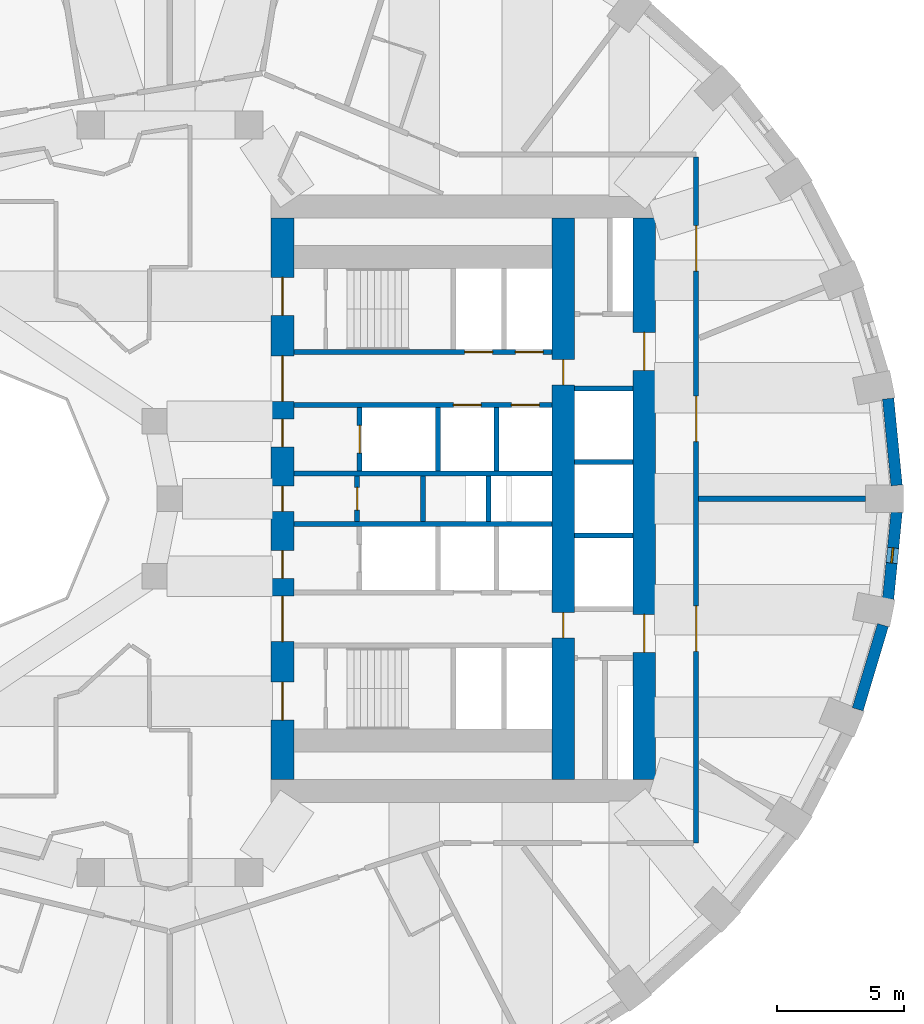
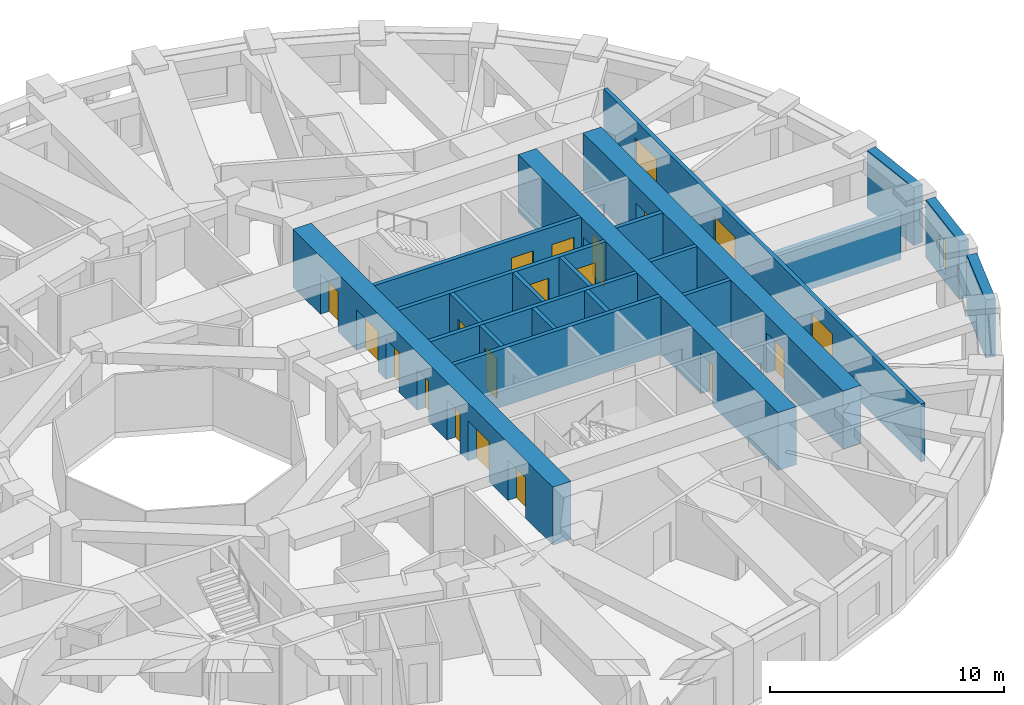
# One storey, part 6 of 13: 21 walls, 20 doors, 1 window, 21 openings.
"""IFC4 building model written with IfcOpenShell, lengths in metres."""

from ifc_helpers import new_model, si_unit, direction, frame, frame_2d, origin, place, context, subcontext, project, spatial, rectangle, extrude, material, layer, layer_set, type_object, element, fill, save


model = new_model("IFC4")

# Units and contexts
model_context = context("Model", 3, precision=1e-05, world=origin(), true_north=direction((0.0, 1.0)))
body_context = subcontext(model_context, "Body", "Model", "MODEL_VIEW")
ifc_project = project(units=[si_unit("LENGTHUNIT", "METRE"), si_unit("AREAUNIT", "SQUARE_METRE"), si_unit("VOLUMEUNIT", "CUBIC_METRE"), si_unit("PLANEANGLEUNIT", "RADIAN"), si_unit("MASSUNIT", "GRAM", prefix="KILO")], contexts=[model_context])

# Site, building, storey
site_placement = place(None, origin())
site = spatial("IfcSite", under=ifc_project, at=site_placement, CompositionType="ELEMENT")
building_placement = place(site_placement, origin())
building = spatial("IfcBuilding", under=site, at=building_placement, Name="Taillehof Tower", CompositionType="ELEMENT")
storey_placement = place(building_placement, frame((0.0, 0.0, 58.0)))
storey = spatial("IfcBuildingStorey", under=building, at=storey_placement, Name="L15", CompositionType="ELEMENT", Elevation=58.0)

# Walls
ifc_material_1 = material(Name="Brick masonry", Category="masonry")
ifc_layer_1 = layer(ifc_material_1, 0.449951171875)
ifc_layer_set_1 = layer_set([ifc_layer_1], Name="Brick infill wall 450")
wall_type_1 = type_object("IfcWallType", Name="Brick infill wall 450", PredefinedType="SOLIDWALL", material=ifc_layer_set_1)
wall_1_placement = place(storey_placement, frame((28.721923828125, 0.530029296875, 0.0), z_axis=(0.0, 0.0, 1.0), x_axis=(-0.097389581596, 0.995246336038, 0.0)))
element("IfcWall", 1, at=wall_1_placement, inside=storey, type_object=wall_type_1, Name="Brick wall L15 bay 1", PredefinedType="SOLIDWALL", context=body_context, shape_type="SweptSolid", body=[
    extrude(rectangle(XDim=3.44189453125, YDim=0.449951171875, at=frame_2d((1.720947265625, 0.0))), origin(), (0.0, 0.0, 1.0), 3.02001953125),
])
wall_2_placement = place(storey_placement, frame((27.184814453125, -8.322998046875, 0.0), z_axis=(0.0, 0.0, 1.0), x_axis=(0.287064133733, 0.957911364963, 0.0)))
element("IfcWall", 2, at=wall_2_placement, inside=storey, type_object=wall_type_1, Name="Brick wall L15 bay 35", PredefinedType="SOLIDWALL", context=body_context, shape_type="SweptSolid", body=[
    extrude(rectangle(XDim=3.473388671875, YDim=0.449951171875, at=frame_2d((1.73681640625, 0.0))), origin(), (0.0, 0.0, 1.0), 3.02001953125),
])

# Wall, opening, window
wall_3_placement = place(storey_placement, frame((28.38671875, -3.95556640625, 0.0), z_axis=(0.0, 0.0, 1.0), x_axis=(0.097389581596, 0.995246336038, 0.0)))
wall_3 = element("IfcWall", 3, at=wall_3_placement, inside=storey, type_object=wall_type_1, Name="Brick wall L15 bay 36", PredefinedType="SOLIDWALL", context=body_context, shape_type="SweptSolid", body=[
    extrude(rectangle(XDim=3.44189453125, YDim=0.449951171875, at=frame_2d((1.720947265625, 0.0))), origin(), (0.0, 0.0, 1.0), 3.02001953125),
])
opening_1_placement = place(wall_3_placement, frame((1.4208984375, 0.0, 0.39990234375)))
opening_1 = element("IfcOpeningElement", 4, at=opening_1_placement, cuts=wall_3, Name="Opening W6", PredefinedType="OPENING", context=body_context, shape_type="SweptSolid", body=[
    extrude(rectangle(XDim=0.60009765625, YDim=1.75, at=frame_2d((0.300048828125, 0.875))), frame((0.0, 0.23486328125, 0.0), z_axis=(0.0, -1.0, 0.0), x_axis=(1.0, 0.0, 0.0)), (0.0, 0.0, 1.0), 0.469970703125),
])
ifc_material_2 = material(Name="Aluminium window frame with clear double glazing", Category="aluminium")
window_type = type_object("IfcWindowType", Name="Slot window 600x1750", PartitioningType="SINGLE_PANEL", PredefinedType="WINDOW", material=ifc_material_2)
window_placement = place(opening_1_placement, origin())
window = element("IfcWindow", 5, at=window_placement, inside=storey, type_object=window_type, Name="W6", OverallHeight=1.75, OverallWidth=0.60009765625, PartitioningType="SINGLE_PANEL", PredefinedType="WINDOW", context=body_context, shape_type="SweptSolid", body=[
    extrude(rectangle(XDim=0.60009765625, YDim=1.75, at=frame_2d((0.300048828125, 0.875))), frame((0.0, 0.034912109375, 0.0), z_axis=(0.0, -1.0, 0.0), x_axis=(1.0, 0.0, 0.0)), (0.0, 0.0, 1.0), 0.06005859375),
])
fill(opening_1, window)

# Wall, opening, door
ifc_material_3 = material(Name="Calcium silicate masonry", Category="masonry")
ifc_layer_2 = layer(ifc_material_3, 0.199951171875)
ifc_layer_set_2 = layer_set([ifc_layer_2], Name="Compartment wall calcium silicate 200")
wall_type_2 = type_object("IfcWallType", Name="Compartment wall calcium silicate 200", PredefinedType="PARTITIONING", material=ifc_layer_set_2)
wall_4_placement = place(storey_placement, frame((7.39990234375, -0.89990234375, 0.0), z_axis=(0.0, 0.0, 1.0), x_axis=(0.0, 1.0, 0.0)))
wall_4 = element("IfcWall", 6, at=wall_4_placement, inside=storey, type_object=wall_type_2, Name="Compartment wall FW", PredefinedType="PARTITIONING", context=body_context, shape_type="SweptSolid", body=[
    extrude(rectangle(XDim=1.7998046875, YDim=0.199951171875, at=frame_2d((0.89990234375, 0.0))), origin(), (0.0, 0.0, 1.0), 3.02001953125),
])
opening_2_placement = place(wall_4_placement, frame((0.449951171875, 0.0, 0.0)))
opening_2 = element("IfcOpeningElement", 7, at=opening_2_placement, cuts=wall_4, Name="Opening D1514", PredefinedType="OPENING", context=body_context, shape_type="SweptSolid", body=[
    extrude(rectangle(XDim=0.89990234375, YDim=2.10009765625, at=frame_2d((0.449951171875, 1.050048828125))), frame((0.0, 0.10986328125, 0.0), z_axis=(0.0, -1.0, 0.0), x_axis=(1.0, 0.0, 0.0)), (0.0, 0.0, 1.0), 0.219970703125),
])
ifc_material_4 = material(Name="Steel-faced fire door", Category="steel")
door_type_1 = type_object("IfcDoorType", Name="Riser and service room door 900x2100", OperationType="SINGLE_SWING_LEFT", PredefinedType="DOOR", material=ifc_material_4)
door_1_placement = place(opening_2_placement, origin())
door_1 = element("IfcDoor", 8, at=door_1_placement, inside=storey, type_object=door_type_1, Name="Door Fire Safety Store", OperationType="SINGLE_SWING_RIGHT", OverallHeight=2.10009765625, OverallWidth=0.89990234375, PredefinedType="DOOR", context=body_context, shape_type="SweptSolid", body=[
    extrude(rectangle(XDim=0.89990234375, YDim=2.10009765625, at=frame_2d((0.449951171875, 1.050048828125))), frame((0.0, 0.02490234375, 0.0), z_axis=(0.0, -1.0, 0.0), x_axis=(1.0, 0.0, 0.0)), (0.0, 0.0, 1.0), 0.050048828125),
])
fill(opening_2, door_1)

# Walls
for number, where, z_axis, x_axis, name in (
    (9, (10.0, -0.89990234375, 0.0), (0.0, 0.0, 1.0), (0.0, 1.0, 0.0), "Compartment wall FW"),
    (10, (12.60009765625, -0.89990234375, 0.0), (0.0, 0.0, 1.0), (0.0, 1.0, 0.0), "Compartment wall FW"),
):
    element("IfcWall", number, at=place(storey_placement, frame(where, z_axis=z_axis, x_axis=x_axis)), inside=storey, type_object=wall_type_2, Name=name, PredefinedType="PARTITIONING", context=body_context, shape_type="SweptSolid", body=[
        extrude(rectangle(XDim=1.7998046875, YDim=0.199951171875, at=frame_2d((0.89990234375, 0.0))), origin(), (0.0, 0.0, 1.0), 3.02001953125),
    ])

# Wall, openings, doors
ifc_material_5 = material(Name="Gypsum board on steel studs, two layers each side", Category="steel")
ifc_layer_3 = layer(ifc_material_5, 0.199951171875)
ifc_layer_set_3 = layer_set([ifc_layer_3], Name="Compartment wall corridor 200")
wall_type_3 = type_object("IfcWallType", Name="Compartment wall corridor 200", PredefinedType="PARTITIONING", material=ifc_layer_set_3)
wall_5_placement = place(storey_placement, frame((20.800048828125, 13.5, 0.0), z_axis=(0.0, 0.0, 1.0), x_axis=(0.0, -1.0, 0.0)))
wall_5 = element("IfcWall", 11, at=wall_5_placement, inside=storey, type_object=wall_type_3, Name="Compartment wall", PredefinedType="PARTITIONING", context=body_context, shape_type="SweptSolid", body=[
    extrude(rectangle(XDim=27.10009765625, YDim=0.199951171875, at=frame_2d((13.550048828125, 0.0))), origin(), (0.0, 0.0, 1.0), 3.02001953125),
])
opening_3_placement = place(wall_5_placement, frame((17.733154296875, 0.0, 0.0)))
opening_3 = element("IfcOpeningElement", 12, at=opening_3_placement, cuts=wall_5, Name="Opening D1565", PredefinedType="OPENING", context=body_context, shape_type="SweptSolid", body=[
    extrude(rectangle(XDim=1.800048828125, YDim=2.10009765625, at=frame_2d((0.89990234375, 1.050048828125))), frame((0.0, 0.10986328125, 0.0), z_axis=(0.0, -1.0, 0.0), x_axis=(1.0, 0.0, 0.0)), (0.0, 0.0, 1.0), 0.219970703125),
])
opening_4_placement = place(wall_5_placement, frame((9.447998046875, 0.0, 0.0)))
opening_4 = element("IfcOpeningElement", 13, at=opening_4_placement, cuts=wall_5, Name="Opening D1566", PredefinedType="OPENING", context=body_context, shape_type="SweptSolid", body=[
    extrude(rectangle(XDim=1.800048828125, YDim=2.10009765625, at=frame_2d((0.89990234375, 1.050048828125))), frame((0.0, 0.10986328125, 0.0), z_axis=(0.0, -1.0, 0.0), x_axis=(1.0, 0.0, 0.0)), (0.0, 0.0, 1.0), 0.219970703125),
])
opening_5_placement = place(wall_5_placement, frame((2.703857421875, 0.0, 0.0)))
opening_5 = element("IfcOpeningElement", 14, at=opening_5_placement, cuts=wall_5, Name="Opening D1567", PredefinedType="OPENING", context=body_context, shape_type="SweptSolid", body=[
    extrude(rectangle(XDim=1.800048828125, YDim=2.10009765625, at=frame_2d((0.89990234375, 1.050048828125))), frame((0.0, 0.10986328125, 0.0), z_axis=(0.0, -1.0, 0.0), x_axis=(1.0, 0.0, 0.0)), (0.0, 0.0, 1.0), 0.219970703125),
])
ifc_material_6 = material(Name="Timber door leaf in steel frame", Category="steel")
door_type_2 = type_object("IfcDoorType", Name="Lounge and meeting room double door EI 30 1800 x 2100", OperationType="SINGLE_SWING_LEFT", PredefinedType="DOOR", material=ifc_material_6)
door_2_placement = place(opening_3_placement, origin())
door_2 = element("IfcDoor", 15, at=door_2_placement, inside=storey, type_object=door_type_2, Name="D1565", OperationType="DOUBLE_DOOR_SINGLE_SWING", OverallHeight=2.10009765625, OverallWidth=1.800048828125, PredefinedType="DOOR", context=body_context, shape_type="SweptSolid", body=[
    extrude(rectangle(XDim=1.800048828125, YDim=2.10009765625, at=frame_2d((0.89990234375, 1.050048828125))), frame((0.0, 0.02490234375, 0.0), z_axis=(0.0, -1.0, 0.0), x_axis=(1.0, 0.0, 0.0)), (0.0, 0.0, 1.0), 0.050048828125),
])
fill(opening_3, door_2)
door_3_placement = place(opening_4_placement, origin())
door_3 = element("IfcDoor", 16, at=door_3_placement, inside=storey, type_object=door_type_2, Name="D1566", OperationType="DOUBLE_DOOR_SINGLE_SWING", OverallHeight=2.10009765625, OverallWidth=1.800048828125, PredefinedType="DOOR", context=body_context, shape_type="SweptSolid", body=[
    extrude(rectangle(XDim=1.800048828125, YDim=2.10009765625, at=frame_2d((0.89990234375, 1.050048828125))), frame((0.0, 0.02490234375, 0.0), z_axis=(0.0, -1.0, 0.0), x_axis=(1.0, 0.0, 0.0)), (0.0, 0.0, 1.0), 0.050048828125),
])
fill(opening_4, door_3)
door_4_placement = place(opening_5_placement, origin())
door_4 = element("IfcDoor", 17, at=door_4_placement, inside=storey, type_object=door_type_2, Name="D1567", OperationType="DOUBLE_DOOR_SINGLE_SWING", OverallHeight=2.10009765625, OverallWidth=1.800048828125, PredefinedType="DOOR", context=body_context, shape_type="SweptSolid", body=[
    extrude(rectangle(XDim=1.800048828125, YDim=2.10009765625, at=frame_2d((0.89990234375, 1.050048828125))), frame((0.0, 0.02490234375, 0.0), z_axis=(0.0, -1.0, 0.0), x_axis=(1.0, 0.0, 0.0)), (0.0, 0.0, 1.0), 0.050048828125),
])
fill(opening_5, door_4)

# Wall
ifc_material_7 = material(Name="Gypsum board on double steel studs with mineral wool", Category="steel")
ifc_layer_4 = layer(ifc_material_7, 0.219970703125)
ifc_layer_set_4 = layer_set([ifc_layer_4], Name="Compartment wall guest room 220")
wall_type_4 = type_object("IfcWallType", Name="Compartment wall guest room 220", PredefinedType="PARTITIONING", material=ifc_layer_set_4)
wall_6_placement = place(storey_placement, frame((27.5, 0.0, 0.0), z_axis=(0.0, 0.0, 1.0), x_axis=(-1.0, 0.0, 0.0)))
element("IfcWall", 18, at=wall_6_placement, inside=storey, type_object=wall_type_4, Name="Compartment wall", PredefinedType="PARTITIONING", context=body_context, shape_type="SweptSolid", body=[
    extrude(rectangle(XDim=6.599853515625, YDim=0.219970703125, at=frame_2d((3.2998046875, 0.0))), origin(), (0.0, 0.0, 1.0), 2.469970703125),
])

# Wall, openings, doors
ifc_material_8 = material(Name="Concrete C80/95", Category="concrete")
ifc_layer_5 = layer(ifc_material_8, 0.89990234375)
ifc_layer_set_5 = layer_set([ifc_layer_5], Name="Core wall C80/95 900")
wall_type_5 = type_object("IfcWallType", Name="Core wall C80/95 900", PredefinedType="SHEAR", material=ifc_layer_set_5)
wall_7_placement = place(storey_placement, frame((4.449951171875, -11.10009765625, 0.0), z_axis=(0.0, 0.0, 1.0), x_axis=(0.0, 1.0, 0.0)))
wall_7 = element("IfcWall", 19, at=wall_7_placement, inside=storey, type_object=wall_type_5, Name="Core wall CW01", PredefinedType="SHEAR", context=body_context, shape_type="SweptSolid", body=[
    extrude(rectangle(XDim=22.2001953125, YDim=0.89990234375, at=frame_2d((11.10009765625, 0.0))), origin(), (0.0, 0.0, 1.0), 3.02001953125),
])
opening_6_placement = place(wall_7_placement, frame((2.35009765625, 0.0, 0.0)))
opening_6 = element("IfcOpeningElement", 20, at=opening_6_placement, cuts=wall_7, Name="Opening D1501", PredefinedType="OPENING", context=body_context, shape_type="SweptSolid", body=[
    extrude(rectangle(XDim=1.5, YDim=2.10009765625, at=frame_2d((0.75, 1.050048828125))), frame((0.0, 0.4599609375, 0.0), z_axis=(0.0, -1.0, 0.0), x_axis=(1.0, 0.0, 0.0)), (0.0, 0.0, 1.0), 0.919921875),
])
opening_7_placement = place(wall_7_placement, frame((5.449951171875, 0.0, 0.0)))
opening_7 = element("IfcOpeningElement", 21, at=opening_7_placement, cuts=wall_7, Name="Opening D1502", PredefinedType="OPENING", context=body_context, shape_type="SweptSolid", body=[
    extrude(rectangle(XDim=1.800048828125, YDim=2.10009765625, at=frame_2d((0.89990234375, 1.050048828125))), frame((0.0, 0.4599609375, 0.0), z_axis=(0.0, -1.0, 0.0), x_axis=(1.0, 0.0, 0.0)), (0.0, 0.0, 1.0), 0.919921875),
])
opening_8_placement = place(wall_7_placement, frame((7.949951171875, 0.0, 0.0)))
opening_8 = element("IfcOpeningElement", 22, at=opening_8_placement, cuts=wall_7, Name="Opening D1503", PredefinedType="OPENING", context=body_context, shape_type="SweptSolid", body=[
    extrude(rectangle(XDim=1.10009765625, YDim=2.10009765625, at=frame_2d((0.550048828125, 1.050048828125))), frame((0.0, 0.4599609375, 0.0), z_axis=(0.0, -1.0, 0.0), x_axis=(1.0, 0.0, 0.0)), (0.0, 0.0, 1.0), 0.919921875),
])
opening_9_placement = place(wall_7_placement, frame((10.60009765625, 0.0, 0.0)))
opening_9 = element("IfcOpeningElement", 23, at=opening_9_placement, cuts=wall_7, Name="Opening D1504", PredefinedType="OPENING", context=body_context, shape_type="SweptSolid", body=[
    extrude(rectangle(XDim=1.0, YDim=2.10009765625, at=frame_2d((0.5, 1.050048828125))), frame((0.0, 0.4599609375, 0.0), z_axis=(0.0, -1.0, 0.0), x_axis=(1.0, 0.0, 0.0)), (0.0, 0.0, 1.0), 0.919921875),
])
opening_10_placement = place(wall_7_placement, frame((13.14990234375, 0.0, 0.0)))
opening_10 = element("IfcOpeningElement", 24, at=opening_10_placement, cuts=wall_7, Name="Opening D1505", PredefinedType="OPENING", context=body_context, shape_type="SweptSolid", body=[
    extrude(rectangle(XDim=1.10009765625, YDim=2.10009765625, at=frame_2d((0.550048828125, 1.050048828125))), frame((0.0, 0.4599609375, 0.0), z_axis=(0.0, -1.0, 0.0), x_axis=(1.0, 0.0, 0.0)), (0.0, 0.0, 1.0), 0.919921875),
])
opening_11_placement = place(wall_7_placement, frame((14.949951171875, 0.0, 0.0)))
opening_11 = element("IfcOpeningElement", 25, at=opening_11_placement, cuts=wall_7, Name="Opening D1506", PredefinedType="OPENING", context=body_context, shape_type="SweptSolid", body=[
    extrude(rectangle(XDim=1.800048828125, YDim=2.10009765625, at=frame_2d((0.89990234375, 1.050048828125))), frame((0.0, 0.4599609375, 0.0), z_axis=(0.0, -1.0, 0.0), x_axis=(1.0, 0.0, 0.0)), (0.0, 0.0, 1.0), 0.919921875),
])
opening_12_placement = place(wall_7_placement, frame((18.35009765625, 0.0, 0.0)))
opening_12 = element("IfcOpeningElement", 26, at=opening_12_placement, cuts=wall_7, Name="Opening D1507", PredefinedType="OPENING", context=body_context, shape_type="SweptSolid", body=[
    extrude(rectangle(XDim=1.5, YDim=2.10009765625, at=frame_2d((0.75, 1.050048828125))), frame((0.0, 0.4599609375, 0.0), z_axis=(0.0, -1.0, 0.0), x_axis=(1.0, 0.0, 0.0)), (0.0, 0.0, 1.0), 0.919921875),
])
ifc_material_9 = material(Name="Steel-faced fire door", Category="steel")
door_type_3 = type_object("IfcDoorType", Name="Firefighting lobby door 1100x2100", OperationType="SINGLE_SWING_RIGHT", PredefinedType="DOOR", material=ifc_material_9)
door_5_placement = place(opening_8_placement, origin())
door_5 = element("IfcDoor", 27, at=door_5_placement, inside=storey, type_object=door_type_3, Name="Firefighting lobby door FFL-S", OperationType="SINGLE_SWING_RIGHT", OverallHeight=2.10009765625, OverallWidth=1.10009765625, PredefinedType="DOOR", context=body_context, shape_type="SweptSolid", body=[
    extrude(rectangle(XDim=1.10009765625, YDim=2.10009765625, at=frame_2d((0.550048828125, 1.050048828125))), frame((0.0, 0.02490234375, 0.0), z_axis=(0.0, -1.0, 0.0), x_axis=(1.0, 0.0, 0.0)), (0.0, 0.0, 1.0), 0.050048828125),
])
fill(opening_8, door_5)
door_6_placement = place(opening_10_placement, origin())
door_6 = element("IfcDoor", 28, at=door_6_placement, inside=storey, type_object=door_type_3, Name="Firefighting lobby door FFL-N", OperationType="SINGLE_SWING_LEFT", OverallHeight=2.10009765625, OverallWidth=1.10009765625, PredefinedType="DOOR", context=body_context, shape_type="SweptSolid", body=[
    extrude(rectangle(XDim=1.10009765625, YDim=2.10009765625, at=frame_2d((0.550048828125, 1.050048828125))), frame((0.0, 0.02490234375, 0.0), z_axis=(0.0, -1.0, 0.0), x_axis=(1.0, 0.0, 0.0)), (0.0, 0.0, 1.0), 0.050048828125),
])
fill(opening_10, door_6)
ifc_material_10 = material(Name="Steel-faced fire door", Category="steel")
door_type_4 = type_object("IfcDoorType", Name="Lift lobby door 1800x2100", OperationType="DOUBLE_DOOR_SINGLE_SWING", PredefinedType="DOOR", material=ifc_material_10)
door_7_placement = place(opening_7_placement, origin())
door_7 = element("IfcDoor", 29, at=door_7_placement, inside=storey, type_object=door_type_4, Name="Lift lobby door LL-S", OperationType="DOUBLE_DOOR_SINGLE_SWING", OverallHeight=2.10009765625, OverallWidth=1.800048828125, PredefinedType="DOOR", context=body_context, shape_type="SweptSolid", body=[
    extrude(rectangle(XDim=1.800048828125, YDim=2.10009765625, at=frame_2d((0.89990234375, 1.050048828125))), frame((0.0, 0.02490234375, 0.0), z_axis=(0.0, -1.0, 0.0), x_axis=(1.0, 0.0, 0.0)), (0.0, 0.0, 1.0), 0.050048828125),
])
fill(opening_7, door_7)
door_8_placement = place(opening_11_placement, origin())
door_8 = element("IfcDoor", 30, at=door_8_placement, inside=storey, type_object=door_type_4, Name="Lift lobby door LL-N", OperationType="DOUBLE_DOOR_SINGLE_SWING", OverallHeight=2.10009765625, OverallWidth=1.800048828125, PredefinedType="DOOR", context=body_context, shape_type="SweptSolid", body=[
    extrude(rectangle(XDim=1.800048828125, YDim=2.10009765625, at=frame_2d((0.89990234375, 1.050048828125))), frame((0.0, 0.02490234375, 0.0), z_axis=(0.0, -1.0, 0.0), x_axis=(1.0, 0.0, 0.0)), (0.0, 0.0, 1.0), 0.050048828125),
])
fill(opening_11, door_8)
ifc_material_11 = material(Name="Steel-faced fire door", Category="steel")
door_type_5 = type_object("IfcDoorType", Name="Service door 1000x2100", OperationType="SINGLE_SWING_RIGHT", PredefinedType="DOOR", material=ifc_material_11)
door_9_placement = place(opening_9_placement, origin())
door_9 = element("IfcDoor", 31, at=door_9_placement, inside=storey, type_object=door_type_5, Name="Service door SV", OperationType="SINGLE_SWING_RIGHT", OverallHeight=2.10009765625, OverallWidth=1.0, PredefinedType="DOOR", context=body_context, shape_type="SweptSolid", body=[
    extrude(rectangle(XDim=1.0, YDim=2.10009765625, at=frame_2d((0.5, 1.050048828125))), frame((0.0, 0.02490234375, 0.0), z_axis=(0.0, -1.0, 0.0), x_axis=(1.0, 0.0, 0.0)), (0.0, 0.0, 1.0), 0.050048828125),
])
fill(opening_9, door_9)
ifc_material_12 = material(Name="Steel-faced fire door", Category="steel")
door_type_6 = type_object("IfcDoorType", Name="Stair door 1500x2100", OperationType="DOUBLE_DOOR_SINGLE_SWING", PredefinedType="DOOR", material=ifc_material_12)
door_10_placement = place(opening_6_placement, origin())
door_10 = element("IfcDoor", 32, at=door_10_placement, inside=storey, type_object=door_type_6, Name="Stair door S2", OperationType="DOUBLE_DOOR_SINGLE_SWING", OverallHeight=2.10009765625, OverallWidth=1.5, PredefinedType="DOOR", context=body_context, shape_type="SweptSolid", body=[
    extrude(rectangle(XDim=1.5, YDim=2.10009765625, at=frame_2d((0.75, 1.050048828125))), frame((0.0, 0.02490234375, 0.0), z_axis=(0.0, -1.0, 0.0), x_axis=(1.0, 0.0, 0.0)), (0.0, 0.0, 1.0), 0.050048828125),
])
fill(opening_6, door_10)
door_11_placement = place(opening_12_placement, origin())
door_11 = element("IfcDoor", 33, at=door_11_placement, inside=storey, type_object=door_type_6, Name="Stair door S1", OperationType="DOUBLE_DOOR_SINGLE_SWING", OverallHeight=2.10009765625, OverallWidth=1.5, PredefinedType="DOOR", context=body_context, shape_type="SweptSolid", body=[
    extrude(rectangle(XDim=1.5, YDim=2.10009765625, at=frame_2d((0.75, 1.050048828125))), frame((0.0, 0.02490234375, 0.0), z_axis=(0.0, -1.0, 0.0), x_axis=(1.0, 0.0, 0.0)), (0.0, 0.0, 1.0), 0.050048828125),
])
fill(opening_12, door_11)

wall_8_placement = place(storey_placement, frame((18.75, -11.10009765625, 0.0), z_axis=(0.0, 0.0, 1.0), x_axis=(0.0, 1.0, 0.0)))
wall_8 = element("IfcWall", 34, at=wall_8_placement, inside=storey, type_object=wall_type_5, Name="Core wall CW02", PredefinedType="SHEAR", context=body_context, shape_type="SweptSolid", body=[
    extrude(rectangle(XDim=22.2001953125, YDim=0.89990234375, at=frame_2d((11.10009765625, 0.0))), origin(), (0.0, 0.0, 1.0), 3.02001953125),
])
opening_13_placement = place(wall_8_placement, frame((16.175048828125, 0.0, 0.0)))
opening_13 = element("IfcOpeningElement", 35, at=opening_13_placement, cuts=wall_8, Name="Opening D1508", PredefinedType="OPENING", context=body_context, shape_type="SweptSolid", body=[
    extrude(rectangle(XDim=1.5, YDim=2.10009765625, at=frame_2d((0.75, 1.050048828125))), frame((0.0, 0.4599609375, 0.0), z_axis=(0.0, -1.0, 0.0), x_axis=(1.0, 0.0, 0.0)), (0.0, 0.0, 1.0), 0.919921875),
])
opening_14_placement = place(wall_8_placement, frame((5.02490234375, 0.0, 0.0)))
opening_14 = element("IfcOpeningElement", 36, at=opening_14_placement, cuts=wall_8, Name="Opening D1509", PredefinedType="OPENING", context=body_context, shape_type="SweptSolid", body=[
    extrude(rectangle(XDim=1.5, YDim=2.10009765625, at=frame_2d((0.75, 1.050048828125))), frame((0.0, 0.4599609375, 0.0), z_axis=(0.0, -1.0, 0.0), x_axis=(1.0, 0.0, 0.0)), (0.0, 0.0, 1.0), 0.919921875),
])
ifc_material_13 = material(Name="Steel-faced fire door", Category="steel")
door_type_7 = type_object("IfcDoorType", Name="Lift lobby east door 1500x2100", OperationType="DOUBLE_DOOR_SINGLE_SWING", PredefinedType="DOOR", material=ifc_material_13)
door_12_placement = place(opening_13_placement, origin())
door_12 = element("IfcDoor", 37, at=door_12_placement, inside=storey, type_object=door_type_7, Name="Lift lobby east door north", OperationType="DOUBLE_DOOR_SINGLE_SWING", OverallHeight=2.10009765625, OverallWidth=1.5, PredefinedType="DOOR", context=body_context, shape_type="SweptSolid", body=[
    extrude(rectangle(XDim=1.5, YDim=2.10009765625, at=frame_2d((0.75, 1.050048828125))), frame((0.0, 0.02490234375, 0.0), z_axis=(0.0, -1.0, 0.0), x_axis=(1.0, 0.0, 0.0)), (0.0, 0.0, 1.0), 0.050048828125),
])
fill(opening_13, door_12)
door_13_placement = place(opening_14_placement, origin())
door_13 = element("IfcDoor", 38, at=door_13_placement, inside=storey, type_object=door_type_7, Name="Lift lobby east door south", OperationType="DOUBLE_DOOR_SINGLE_SWING", OverallHeight=2.10009765625, OverallWidth=1.5, PredefinedType="DOOR", context=body_context, shape_type="SweptSolid", body=[
    extrude(rectangle(XDim=1.5, YDim=2.10009765625, at=frame_2d((0.75, 1.050048828125))), frame((0.0, 0.02490234375, 0.0), z_axis=(0.0, -1.0, 0.0), x_axis=(1.0, 0.0, 0.0)), (0.0, 0.0, 1.0), 0.050048828125),
])
fill(opening_14, door_13)

wall_9_placement = place(storey_placement, frame((15.550048828125, -11.10009765625, 0.0), z_axis=(0.0, 0.0, 1.0), x_axis=(0.0, 1.0, 0.0)))
wall_9 = element("IfcWall", 39, at=wall_9_placement, inside=storey, type_object=wall_type_5, Name="Core wall CW05", PredefinedType="SHEAR", context=body_context, shape_type="SweptSolid", body=[
    extrude(rectangle(XDim=22.2001953125, YDim=0.89990234375, at=frame_2d((11.10009765625, 0.0))), origin(), (0.0, 0.0, 1.0), 3.02001953125),
])
opening_15_placement = place(wall_9_placement, frame((15.60009765625, 0.0, 0.0)))
opening_15 = element("IfcOpeningElement", 40, at=opening_15_placement, cuts=wall_9, Name="Opening D1515", PredefinedType="OPENING", context=body_context, shape_type="SweptSolid", body=[
    extrude(rectangle(XDim=1.0, YDim=2.10009765625, at=frame_2d((0.5, 1.050048828125))), frame((0.0, 0.4599609375, 0.0), z_axis=(0.0, -1.0, 0.0), x_axis=(1.0, 0.0, 0.0)), (0.0, 0.0, 1.0), 0.919921875),
])
opening_16_placement = place(wall_9_placement, frame((5.60009765625, 0.0, 0.0)))
opening_16 = element("IfcOpeningElement", 41, at=opening_16_placement, cuts=wall_9, Name="Opening D1517", PredefinedType="OPENING", context=body_context, shape_type="SweptSolid", body=[
    extrude(rectangle(XDim=1.0, YDim=2.10009765625, at=frame_2d((0.5, 1.050048828125))), frame((0.0, 0.4599609375, 0.0), z_axis=(0.0, -1.0, 0.0), x_axis=(1.0, 0.0, 0.0)), (0.0, 0.0, 1.0), 0.919921875),
])
door_14_placement = place(opening_15_placement, origin())
door_14 = element("IfcDoor", 42, at=door_14_placement, inside=storey, type_object=door_type_5, Name="Service door strip", OperationType="SINGLE_SWING_RIGHT", OverallHeight=2.10009765625, OverallWidth=1.0, PredefinedType="DOOR", context=body_context, shape_type="SweptSolid", body=[
    extrude(rectangle(XDim=1.0, YDim=2.10009765625, at=frame_2d((0.5, 1.050048828125))), frame((0.0, 0.02490234375, 0.0), z_axis=(0.0, -1.0, 0.0), x_axis=(1.0, 0.0, 0.0)), (0.0, 0.0, 1.0), 0.050048828125),
])
fill(opening_15, door_14)
door_15_placement = place(opening_16_placement, origin())
door_15 = element("IfcDoor", 43, at=door_15_placement, inside=storey, type_object=door_type_5, Name="Service door strip", OperationType="SINGLE_SWING_LEFT", OverallHeight=2.10009765625, OverallWidth=1.0, PredefinedType="DOOR", context=body_context, shape_type="SweptSolid", body=[
    extrude(rectangle(XDim=1.0, YDim=2.10009765625, at=frame_2d((0.5, 1.050048828125))), frame((0.0, 0.02490234375, 0.0), z_axis=(0.0, -1.0, 0.0), x_axis=(1.0, 0.0, 0.0)), (0.0, 0.0, 1.0), 0.050048828125),
])
fill(opening_16, door_15)

ifc_material_14 = material(Name="Concrete C50/60", Category="concrete")
ifc_layer_6 = layer(ifc_material_14, 0.199951171875)
ifc_layer_set_6 = layer_set([ifc_layer_6], Name="Shaft wall C50/60 200")
wall_type_6 = type_object("IfcWallType", Name="Shaft wall C50/60 200", PredefinedType="SHEAR", material=ifc_layer_set_6)
wall_10_placement = place(storey_placement, frame((4.89990234375, 5.800048828125, 0.0), z_axis=(0.0, 0.0, 1.0), x_axis=(1.0, 0.0, 0.0)))
wall_10 = element("IfcWall", 44, at=wall_10_placement, inside=storey, type_object=wall_type_6, Name="Shaft wall SW", PredefinedType="SHEAR", context=body_context, shape_type="SweptSolid", body=[
    extrude(rectangle(XDim=10.2001953125, YDim=0.199951171875, at=frame_2d((5.10009765625, 0.0))), origin(), (0.0, 0.0, 1.0), 3.02001953125),
])
opening_17_placement = place(wall_10_placement, frame((6.75, 0.0, 0.0)))
opening_17 = element("IfcOpeningElement", 45, at=opening_17_placement, cuts=wall_10, Name="Opening LD1", PredefinedType="OPENING", context=body_context, shape_type="SweptSolid", body=[
    extrude(rectangle(XDim=1.10009765625, YDim=2.10009765625, at=frame_2d((0.550048828125, 1.050048828125))), frame((0.0, 0.10986328125, 0.0), z_axis=(0.0, -1.0, 0.0), x_axis=(1.0, 0.0, 0.0)), (0.0, 0.0, 1.0), 0.219970703125),
])
opening_18_placement = place(wall_10_placement, frame((8.75, 0.0, 0.0)))
opening_18 = element("IfcOpeningElement", 46, at=opening_18_placement, cuts=wall_10, Name="Opening LD1", PredefinedType="OPENING", context=body_context, shape_type="SweptSolid", body=[
    extrude(rectangle(XDim=1.10009765625, YDim=2.10009765625, at=frame_2d((0.550048828125, 1.050048828125))), frame((0.0, 0.10986328125, 0.0), z_axis=(0.0, -1.0, 0.0), x_axis=(1.0, 0.0, 0.0)), (0.0, 0.0, 1.0), 0.219970703125),
])
ifc_material_15 = material(Name="Stainless steel", Category="steel")
door_type_8 = type_object("IfcDoorType", Name="Lift landing door LD1 1100x2100", OperationType="DOUBLE_DOOR_SLIDING", PredefinedType="DOOR", material=ifc_material_15)
door_16_placement = place(opening_17_placement, origin())
door_16 = element("IfcDoor", 47, at=door_16_placement, inside=storey, type_object=door_type_8, Name="Landing door LR1", OperationType="DOUBLE_DOOR_SLIDING", OverallHeight=2.10009765625, OverallWidth=1.10009765625, PredefinedType="DOOR", context=body_context, shape_type="SweptSolid", body=[
    extrude(rectangle(XDim=1.10009765625, YDim=2.10009765625, at=frame_2d((0.550048828125, 1.050048828125))), frame((0.0, 0.02490234375, 0.0), z_axis=(0.0, -1.0, 0.0), x_axis=(1.0, 0.0, 0.0)), (0.0, 0.0, 1.0), 0.050048828125),
])
fill(opening_17, door_16)
door_17_placement = place(opening_18_placement, origin())
door_17 = element("IfcDoor", 48, at=door_17_placement, inside=storey, type_object=door_type_8, Name="Landing door LR2", OperationType="DOUBLE_DOOR_SLIDING", OverallHeight=2.10009765625, OverallWidth=1.10009765625, PredefinedType="DOOR", context=body_context, shape_type="SweptSolid", body=[
    extrude(rectangle(XDim=1.10009765625, YDim=2.10009765625, at=frame_2d((0.550048828125, 1.050048828125))), frame((0.0, 0.02490234375, 0.0), z_axis=(0.0, -1.0, 0.0), x_axis=(1.0, 0.0, 0.0)), (0.0, 0.0, 1.0), 0.050048828125),
])
fill(opening_18, door_17)

wall_11_placement = place(storey_placement, frame((4.89990234375, 3.699951171875, 0.0), z_axis=(0.0, 0.0, 1.0), x_axis=(1.0, 0.0, 0.0)))
wall_11 = element("IfcWall", 49, at=wall_11_placement, inside=storey, type_object=wall_type_6, Name="Shaft wall SW", PredefinedType="SHEAR", context=body_context, shape_type="SweptSolid", body=[
    extrude(rectangle(XDim=10.2001953125, YDim=0.199951171875, at=frame_2d((5.10009765625, 0.0))), origin(), (0.0, 0.0, 1.0), 3.02001953125),
])
opening_19_placement = place(wall_11_placement, frame((6.300048828125, 0.0, 0.0)))
opening_19 = element("IfcOpeningElement", 50, at=opening_19_placement, cuts=wall_11, Name="Opening LD1", PredefinedType="OPENING", context=body_context, shape_type="SweptSolid", body=[
    extrude(rectangle(XDim=1.10009765625, YDim=2.10009765625, at=frame_2d((0.550048828125, 1.050048828125))), frame((0.0, 0.10986328125, 0.0), z_axis=(0.0, -1.0, 0.0), x_axis=(1.0, 0.0, 0.0)), (0.0, 0.0, 1.0), 0.219970703125),
])
opening_20_placement = place(wall_11_placement, frame((8.60009765625, 0.0, 0.0)))
opening_20 = element("IfcOpeningElement", 51, at=opening_20_placement, cuts=wall_11, Name="Opening LD1", PredefinedType="OPENING", context=body_context, shape_type="SweptSolid", body=[
    extrude(rectangle(XDim=1.10009765625, YDim=2.10009765625, at=frame_2d((0.550048828125, 1.050048828125))), frame((0.0, 0.10986328125, 0.0), z_axis=(0.0, -1.0, 0.0), x_axis=(1.0, 0.0, 0.0)), (0.0, 0.0, 1.0), 0.219970703125),
])
door_18_placement = place(opening_19_placement, origin())
door_18 = element("IfcDoor", 52, at=door_18_placement, inside=storey, type_object=door_type_8, Name="Landing door LR3", OperationType="DOUBLE_DOOR_SLIDING", OverallHeight=2.10009765625, OverallWidth=1.10009765625, PredefinedType="DOOR", context=body_context, shape_type="SweptSolid", body=[
    extrude(rectangle(XDim=1.10009765625, YDim=2.10009765625, at=frame_2d((0.550048828125, 1.050048828125))), frame((0.0, 0.02490234375, 0.0), z_axis=(0.0, -1.0, 0.0), x_axis=(1.0, 0.0, 0.0)), (0.0, 0.0, 1.0), 0.050048828125),
])
fill(opening_19, door_18)
door_19_placement = place(opening_20_placement, origin())
door_19 = element("IfcDoor", 53, at=door_19_placement, inside=storey, type_object=door_type_8, Name="Landing door LR4", OperationType="DOUBLE_DOOR_SLIDING", OverallHeight=2.10009765625, OverallWidth=1.10009765625, PredefinedType="DOOR", context=body_context, shape_type="SweptSolid", body=[
    extrude(rectangle(XDim=1.10009765625, YDim=2.10009765625, at=frame_2d((0.550048828125, 1.050048828125))), frame((0.0, 0.02490234375, 0.0), z_axis=(0.0, -1.0, 0.0), x_axis=(1.0, 0.0, 0.0)), (0.0, 0.0, 1.0), 0.050048828125),
])
fill(opening_20, door_19)

# Walls
for number, where, z_axis, x_axis, name in (
    (54, (4.89990234375, 1.0, 0.0), (0.0, 0.0, 1.0), (1.0, 0.0, 0.0), "Shaft wall SW"),
    (55, (4.89990234375, -1.0, 0.0), (0.0, 0.0, 1.0), (1.0, 0.0, 0.0), "Shaft wall SW"),
):
    element("IfcWall", number, at=place(storey_placement, frame(where, z_axis=z_axis, x_axis=x_axis)), inside=storey, type_object=wall_type_6, Name=name, PredefinedType="SHEAR", context=body_context, shape_type="SweptSolid", body=[
        extrude(rectangle(XDim=10.2001953125, YDim=0.199951171875, at=frame_2d((5.10009765625, 0.0))), origin(), (0.0, 0.0, 1.0), 3.02001953125),
    ])

# Wall, opening, door
wall_12_placement = place(storey_placement, frame((7.5, 1.10009765625, 0.0), z_axis=(0.0, 0.0, 1.0), x_axis=(0.0, 1.0, 0.0)))
wall_12 = element("IfcWall", 56, at=wall_12_placement, inside=storey, type_object=wall_type_6, Name="Shaft wall SW", PredefinedType="SHEAR", context=body_context, shape_type="SweptSolid", body=[
    extrude(rectangle(XDim=2.5, YDim=0.199951171875, at=frame_2d((1.25, 0.0))), origin(), (0.0, 0.0, 1.0), 3.02001953125),
])
opening_21_placement = place(wall_12_placement, frame((0.699951171875, 0.0, 0.0)))
opening_21 = element("IfcOpeningElement", 57, at=opening_21_placement, cuts=wall_12, Name="Opening LD1", PredefinedType="OPENING", context=body_context, shape_type="SweptSolid", body=[
    extrude(rectangle(XDim=1.10009765625, YDim=2.10009765625, at=frame_2d((0.550048828125, 1.050048828125))), frame((0.0, 0.10986328125, 0.0), z_axis=(0.0, -1.0, 0.0), x_axis=(1.0, 0.0, 0.0)), (0.0, 0.0, 1.0), 0.219970703125),
])
door_20_placement = place(opening_21_placement, origin())
door_20 = element("IfcDoor", 58, at=door_20_placement, inside=storey, type_object=door_type_8, Name="Landing door FF1", OperationType="DOUBLE_DOOR_SLIDING", OverallHeight=2.10009765625, OverallWidth=1.10009765625, PredefinedType="DOOR", context=body_context, shape_type="SweptSolid", body=[
    extrude(rectangle(XDim=1.10009765625, YDim=2.10009765625, at=frame_2d((0.550048828125, 1.050048828125))), frame((0.0, 0.02490234375, 0.0), z_axis=(0.0, -1.0, 0.0), x_axis=(1.0, 0.0, 0.0)), (0.0, 0.0, 1.0), 0.050048828125),
])
fill(opening_21, door_20)

# Walls
for number, where, z_axis, x_axis, name in (
    (59, (10.60009765625, 1.10009765625, 0.0), (0.0, 0.0, 1.0), (0.0, 1.0, 0.0), "Shaft wall SW"),
    (60, (12.89990234375, 1.10009765625, 0.0), (0.0, 0.0, 1.0), (0.0, 1.0, 0.0), "Shaft wall SW"),
):
    element("IfcWall", number, at=place(storey_placement, frame(where, z_axis=z_axis, x_axis=x_axis)), inside=storey, type_object=wall_type_6, Name=name, PredefinedType="SHEAR", context=body_context, shape_type="SweptSolid", body=[
        extrude(rectangle(XDim=2.5, YDim=0.199951171875, at=frame_2d((1.25, 0.0))), origin(), (0.0, 0.0, 1.0), 3.02001953125),
    ])
for number, where, z_axis, x_axis, name in (
    (61, (16.0, -1.449951171875, 0.0), (0.0, 0.0, 1.0), (1.0, 0.0, 0.0), "Shaft wall SW"),
    (62, (16.0, 1.449951171875, 0.0), (0.0, 0.0, 1.0), (1.0, 0.0, 0.0), "Shaft wall SW"),
    (63, (16.0, 4.35009765625, 0.0), (0.0, 0.0, 1.0), (1.0, 0.0, 0.0), "Shaft wall SW"),
):
    element("IfcWall", number, at=place(storey_placement, frame(where, z_axis=z_axis, x_axis=x_axis)), inside=storey, type_object=wall_type_6, Name=name, PredefinedType="SHEAR", context=body_context, shape_type="SweptSolid", body=[
        extrude(rectangle(XDim=2.300048828125, YDim=0.199951171875, at=frame_2d((1.14990234375, 0.0))), origin(), (0.0, 0.0, 1.0), 3.02001953125),
    ])

save(model, "model.ifc")
